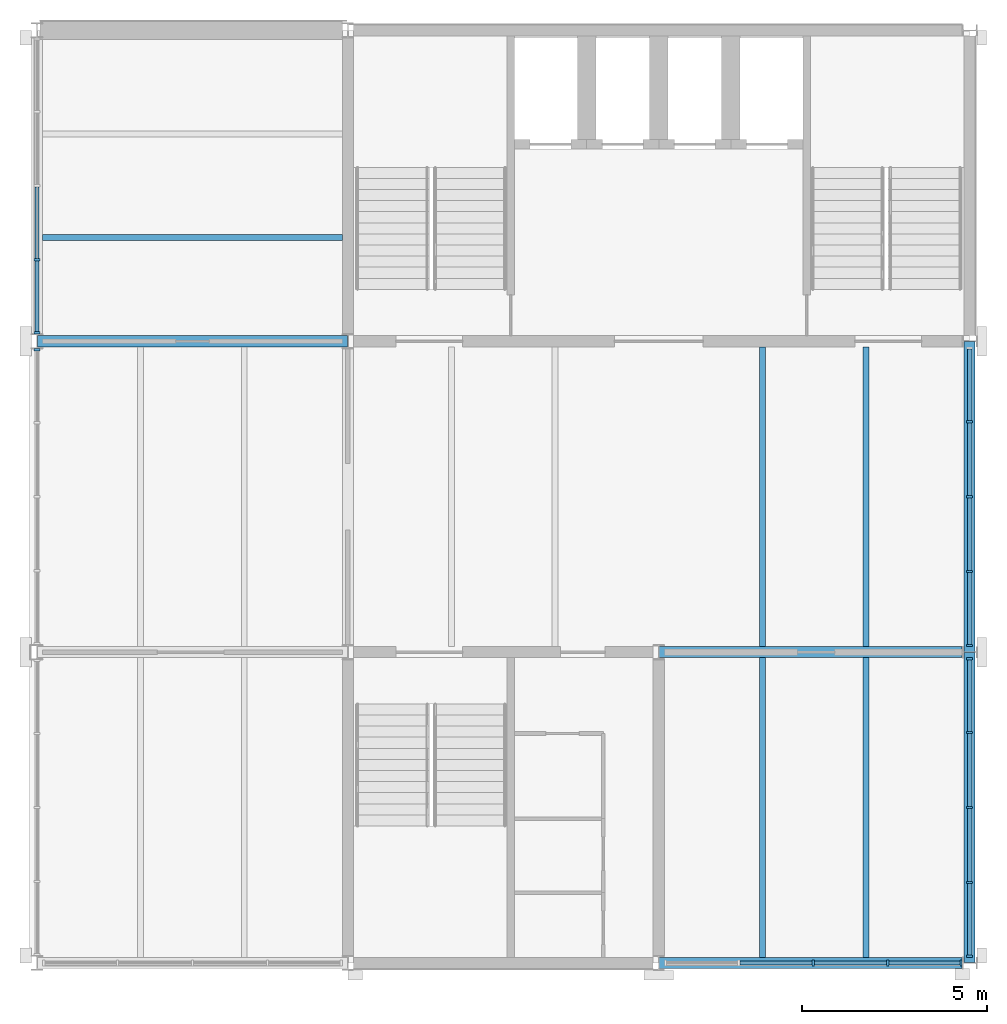
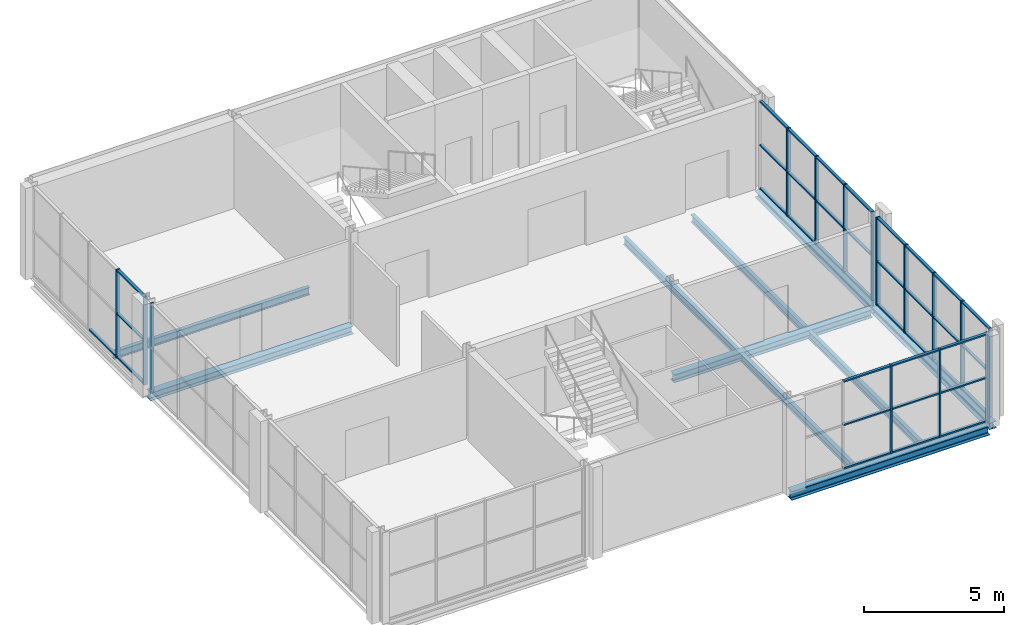
# One storey, part 3 of 8: 52 members, 10 beams, 5 elements without a shape of their own.
"""IFC4 building model written with IfcOpenShell, lengths in metres."""

from ifc_helpers import new_model, si_unit, direction, frame, origin, origin_2d, place, context, subcontext, project, spatial, rectangle, i_section, extrude, material, layer, layer_set, material_profile, profile_set, type_object, element, aggregate, save


model = new_model("IFC4")

# Units and contexts
model_context = context("Model", 3, precision=1e-05, world=origin(), true_north=direction((0.0, 1.0)))
body_context = subcontext(model_context, "Body", "Model", "MODEL_VIEW")
ifc_project = project(units=[si_unit("LENGTHUNIT", "METRE"), si_unit("AREAUNIT", "SQUARE_METRE"), si_unit("VOLUMEUNIT", "CUBIC_METRE"), si_unit("PLANEANGLEUNIT", "RADIAN"), si_unit("MASSUNIT", "GRAM", prefix="KILO")], contexts=[model_context])

# Site, building, storey
site_placement = place(None, origin())
site = spatial("IfcSite", under=ifc_project, at=site_placement, CompositionType="ELEMENT")
building_placement = place(site_placement, origin())
building = spatial("IfcBuilding", under=site, at=building_placement, Name="Galleria Vessillo Department Store", CompositionType="ELEMENT")
storey_placement = place(building_placement, frame((0.0, 0.0, 51.60009765625)))
storey = spatial("IfcBuildingStorey", under=building, at=storey_placement, Name="L11", CompositionType="ELEMENT", Elevation=51.60009765625)

# Curtain wall, member
ifc_material_1 = material(Name="Aluminium and glass curtain wall", Category="aluminium")
ifc_layer = layer(ifc_material_1, 0.159912109375)
ifc_layer_set = layer_set([ifc_layer], Name="Aluminium and glass curtain wall")
curtain_wall_type = type_object("IfcCurtainWallType", Name="Tower curtain wall CW4 2100 module", PredefinedType="NOTDEFINED", material=ifc_layer_set)
curtain_wall_1_placement = place(storey_placement, origin())
curtain_wall_1 = element("IfcCurtainWall", 1, at=curtain_wall_1_placement, inside=storey, type_object=curtain_wall_type, Name="Tower curtain wall CW4 2100 module TW-L11-02", PredefinedType="NOTDEFINED")
ifc_material_2 = material(Name="Aluminium alloy 6063 T6", Category="aluminium")
ifc_material_profile_1 = material_profile(ifc_material_2, rectangle(XDim=0.159912109375, YDim=0.06005859375, at=origin_2d()), Name="AL 60x160")
ifc_profile_set_1 = profile_set([ifc_material_profile_1], Name="Aluminium alloy 6063 T6")
member_type_1 = type_object("IfcMemberType", Name="Aluminium mullion 60 x 160", PredefinedType="MULLION", material=ifc_profile_set_1)
member_1_placement = place(storey_placement, frame((92.39990234375, 54.3701171875, 0.0), z_axis=(0.0, 0.0, 1.0), x_axis=(-1.0, 0.0, 0.0)))
member_1 = element("IfcMember", 2, at=member_1_placement, type_object=member_type_1, Name="CW4 mullion 5", PredefinedType="MULLION", context=body_context, shape_type="SweptSolid", body=[
    extrude(rectangle(XDim=0.159912109375, YDim=0.06005859375, at=origin_2d()), origin(), (0.0, 0.0, 1.0), 3.85009765625),
])
aggregate(curtain_wall_1, [member_1])

# Curtain wall, members
curtain_wall_2_placement = place(storey_placement, origin())
curtain_wall_2 = element("IfcCurtainWall", 3, at=curtain_wall_2_placement, inside=storey, type_object=curtain_wall_type, Name="Tower curtain wall CW4 2100 module TW-L11-03", PredefinedType="NOTDEFINED")
member_2_placement = place(storey_placement, frame((92.39990234375, 54.830078125, 0.0), z_axis=(0.0, 0.0, 1.0), x_axis=(-1.0, 0.0, 0.0)))
member_2 = element("IfcMember", 4, at=member_2_placement, type_object=member_type_1, Name="CW4 mullion 1", PredefinedType="MULLION", context=body_context, shape_type="SweptSolid", body=[
    extrude(rectangle(XDim=0.159912109375, YDim=0.06005859375, at=origin_2d()), origin(), (0.0, 0.0, 1.0), 3.85009765625),
])
member_3_placement = place(storey_placement, frame((92.39990234375, 56.800048828125, 0.0), z_axis=(0.0, 0.0, 1.0), x_axis=(-1.0, 0.0, 0.0)))
member_3 = element("IfcMember", 5, at=member_3_placement, type_object=member_type_1, Name="CW4 mullion 2", PredefinedType="MULLION", context=body_context, shape_type="SweptSolid", body=[
    extrude(rectangle(XDim=0.159912109375, YDim=0.06005859375, at=origin_2d()), origin(), (0.0, 0.0, 1.0), 3.85009765625),
])

curtain_wall_3_placement = place(storey_placement, origin())
curtain_wall_3 = element("IfcCurtainWall", 6, at=curtain_wall_3_placement, inside=storey, type_object=curtain_wall_type, Name="Tower curtain wall CW4 2100 module TS-L11-02", PredefinedType="NOTDEFINED")
member_4_placement = place(storey_placement, frame((113.375, 37.800048828125, 0.0), z_axis=(0.0, 0.0, 1.0), x_axis=(0.0, 1.0, 0.0)))
member_4 = element("IfcMember", 7, at=member_4_placement, type_object=member_type_1, Name="CW4 mullion 3", PredefinedType="MULLION", context=body_context, shape_type="SweptSolid", body=[
    extrude(rectangle(XDim=0.159912109375, YDim=0.06005859375, at=origin_2d()), origin(), (0.0, 0.0, 1.0), 3.85009765625),
])
member_5_placement = place(storey_placement, frame((115.387451171875, 37.800048828125, 0.0), z_axis=(0.0, 0.0, 1.0), x_axis=(0.0, 1.0, 0.0)))
member_5 = element("IfcMember", 8, at=member_5_placement, type_object=member_type_1, Name="CW4 mullion 4", PredefinedType="MULLION", context=body_context, shape_type="SweptSolid", body=[
    extrude(rectangle(XDim=0.159912109375, YDim=0.06005859375, at=origin_2d()), origin(), (0.0, 0.0, 1.0), 3.85009765625),
])
member_6_placement = place(storey_placement, frame((117.3701171875, 37.800048828125, 0.0), z_axis=(0.0, 0.0, 1.0), x_axis=(0.0, 1.0, 0.0)))
member_6 = element("IfcMember", 9, at=member_6_placement, type_object=member_type_1, Name="CW4 mullion 5", PredefinedType="MULLION", context=body_context, shape_type="SweptSolid", body=[
    extrude(rectangle(XDim=0.159912109375, YDim=0.06005859375, at=origin_2d()), origin(), (0.0, 0.0, 1.0), 3.85009765625),
])

curtain_wall_4_placement = place(storey_placement, origin())
curtain_wall_4 = element("IfcCurtainWall", 10, at=curtain_wall_4_placement, inside=storey, type_object=curtain_wall_type, Name="Tower curtain wall CW4 2100 module TE-L11-01", PredefinedType="NOTDEFINED")
member_7_placement = place(storey_placement, frame((117.60009765625, 37.97998046875, 0.0), z_axis=(0.0, 0.0, 1.0), x_axis=(-1.0, 0.0, 0.0)))
member_7 = element("IfcMember", 11, at=member_7_placement, type_object=member_type_1, Name="CW4 mullion 1", PredefinedType="MULLION", context=body_context, shape_type="SweptSolid", body=[
    extrude(rectangle(XDim=0.159912109375, YDim=0.06005859375, at=origin_2d()), origin(), (0.0, 0.0, 1.0), 3.85009765625),
])
member_8_placement = place(storey_placement, frame((117.60009765625, 39.97509765625, 0.0), z_axis=(0.0, 0.0, 1.0), x_axis=(-1.0, 0.0, 0.0)))
member_8 = element("IfcMember", 12, at=member_8_placement, type_object=member_type_1, Name="CW4 mullion 2", PredefinedType="MULLION", context=body_context, shape_type="SweptSolid", body=[
    extrude(rectangle(XDim=0.159912109375, YDim=0.06005859375, at=origin_2d()), origin(), (0.0, 0.0, 1.0), 3.85009765625),
])
member_9_placement = place(storey_placement, frame((117.60009765625, 42.0, 0.0), z_axis=(0.0, 0.0, 1.0), x_axis=(-1.0, 0.0, 0.0)))
member_9 = element("IfcMember", 13, at=member_9_placement, type_object=member_type_1, Name="CW4 mullion 3", PredefinedType="MULLION", context=body_context, shape_type="SweptSolid", body=[
    extrude(rectangle(XDim=0.159912109375, YDim=0.06005859375, at=origin_2d()), origin(), (0.0, 0.0, 1.0), 3.85009765625),
])
member_10_placement = place(storey_placement, frame((117.60009765625, 44.02490234375, 0.0), z_axis=(0.0, 0.0, 1.0), x_axis=(-1.0, 0.0, 0.0)))
member_10 = element("IfcMember", 14, at=member_10_placement, type_object=member_type_1, Name="CW4 mullion 4", PredefinedType="MULLION", context=body_context, shape_type="SweptSolid", body=[
    extrude(rectangle(XDim=0.159912109375, YDim=0.06005859375, at=origin_2d()), origin(), (0.0, 0.0, 1.0), 3.85009765625),
])
member_11_placement = place(storey_placement, frame((117.60009765625, 46.02001953125, 0.0), z_axis=(0.0, 0.0, 1.0), x_axis=(-1.0, 0.0, 0.0)))
member_11 = element("IfcMember", 15, at=member_11_placement, type_object=member_type_1, Name="CW4 mullion 5", PredefinedType="MULLION", context=body_context, shape_type="SweptSolid", body=[
    extrude(rectangle(XDim=0.159912109375, YDim=0.06005859375, at=origin_2d()), origin(), (0.0, 0.0, 1.0), 3.85009765625),
])

curtain_wall_5_placement = place(storey_placement, origin())
curtain_wall_5 = element("IfcCurtainWall", 16, at=curtain_wall_5_placement, inside=storey, type_object=curtain_wall_type, Name="Tower curtain wall CW4 2100 module TE-L11-02", PredefinedType="NOTDEFINED")
member_12_placement = place(storey_placement, frame((117.60009765625, 46.3798828125, 0.0), z_axis=(0.0, 0.0, 1.0), x_axis=(-1.0, 0.0, 0.0)))
member_12 = element("IfcMember", 17, at=member_12_placement, type_object=member_type_1, Name="CW4 mullion 1", PredefinedType="MULLION", context=body_context, shape_type="SweptSolid", body=[
    extrude(rectangle(XDim=0.159912109375, YDim=0.06005859375, at=origin_2d()), origin(), (0.0, 0.0, 1.0), 3.85009765625),
])
member_13_placement = place(storey_placement, frame((117.60009765625, 48.375, 0.0), z_axis=(0.0, 0.0, 1.0), x_axis=(-1.0, 0.0, 0.0)))
member_13 = element("IfcMember", 18, at=member_13_placement, type_object=member_type_1, Name="CW4 mullion 2", PredefinedType="MULLION", context=body_context, shape_type="SweptSolid", body=[
    extrude(rectangle(XDim=0.159912109375, YDim=0.06005859375, at=origin_2d()), origin(), (0.0, 0.0, 1.0), 3.85009765625),
])
member_14_placement = place(storey_placement, frame((117.60009765625, 50.39990234375, 0.0), z_axis=(0.0, 0.0, 1.0), x_axis=(-1.0, 0.0, 0.0)))
member_14 = element("IfcMember", 19, at=member_14_placement, type_object=member_type_1, Name="CW4 mullion 3", PredefinedType="MULLION", context=body_context, shape_type="SweptSolid", body=[
    extrude(rectangle(XDim=0.159912109375, YDim=0.06005859375, at=origin_2d()), origin(), (0.0, 0.0, 1.0), 3.85009765625),
])
member_15_placement = place(storey_placement, frame((117.60009765625, 52.425048828125, 0.0), z_axis=(0.0, 0.0, 1.0), x_axis=(-1.0, 0.0, 0.0)))
member_15 = element("IfcMember", 20, at=member_15_placement, type_object=member_type_1, Name="CW4 mullion 4", PredefinedType="MULLION", context=body_context, shape_type="SweptSolid", body=[
    extrude(rectangle(XDim=0.159912109375, YDim=0.06005859375, at=origin_2d()), origin(), (0.0, 0.0, 1.0), 3.85009765625),
])

# Member
ifc_material_3 = material(Name="Aluminium alloy 6063 T6", Category="aluminium")
ifc_material_profile_2 = material_profile(ifc_material_3, rectangle(XDim=0.1201171875, YDim=0.06005859375, at=origin_2d()), Name="AL 60x120")
ifc_profile_set_2 = profile_set([ifc_material_profile_2], Name="Aluminium alloy 6063 T6")
member_type_2 = type_object("IfcMemberType", Name="Aluminium transom 60 x 120", PredefinedType="USERDEFINED", material=ifc_profile_set_2)
member_16_placement = place(storey_placement, frame((92.39990234375, 54.860107421875, 0.030029296875), z_axis=(0.0, 1.0, 0.0), x_axis=(-1.0, 0.0, 0.0)))
member_16 = element("IfcMember", 21, at=member_16_placement, type_object=member_type_2, Name="CW4 transom 1.1", ObjectType="TRANSOM", PredefinedType="USERDEFINED", context=body_context, shape_type="SweptSolid", body=[
    extrude(rectangle(XDim=0.1201171875, YDim=0.06005859375, at=origin_2d()), origin(), (0.0, 0.0, 1.0), 1.909912109375),
])

member_17_placement = place(storey_placement, frame((92.39990234375, 54.860107421875, 1.925048828125), z_axis=(0.0, 1.0, 0.0), x_axis=(-1.0, 0.0, 0.0)))
member_17 = element("IfcMember", 22, at=member_17_placement, type_object=member_type_2, Name="CW4 transom 1.2", ObjectType="TRANSOM", PredefinedType="USERDEFINED", context=body_context, shape_type="SweptSolid", body=[
    extrude(rectangle(XDim=0.1201171875, YDim=0.06005859375, at=origin_2d()), origin(), (0.0, 0.0, 1.0), 1.909912109375),
])

member_18_placement = place(storey_placement, frame((92.39990234375, 54.860107421875, 3.820068359375), z_axis=(0.0, 1.0, 0.0), x_axis=(-1.0, 0.0, 0.0)))
member_18 = element("IfcMember", 23, at=member_18_placement, type_object=member_type_2, Name="CW4 transom 1.3", ObjectType="TRANSOM", PredefinedType="USERDEFINED", context=body_context, shape_type="SweptSolid", body=[
    extrude(rectangle(XDim=0.1201171875, YDim=0.06005859375, at=origin_2d()), origin(), (0.0, 0.0, 1.0), 1.909912109375),
])

member_19_placement = place(storey_placement, frame((92.39990234375, 56.830078125, 0.030029296875), z_axis=(0.0, 1.0, 0.0), x_axis=(-1.0, 0.0, 0.0)))
member_19 = element("IfcMember", 24, at=member_19_placement, type_object=member_type_2, Name="CW4 transom 2.1", ObjectType="TRANSOM", PredefinedType="USERDEFINED", context=body_context, shape_type="SweptSolid", body=[
    extrude(rectangle(XDim=0.1201171875, YDim=0.06005859375, at=origin_2d()), origin(), (0.0, 0.0, 1.0), 1.93994140625),
])

aggregate(curtain_wall_2, [member_2, member_3, member_16, member_17, member_18, member_19])

member_20_placement = place(storey_placement, frame((111.392333984375, 37.800048828125, 0.030029296875), z_axis=(1.0, 0.0, 0.0), x_axis=(0.0, 1.0, 0.0)))
member_20 = element("IfcMember", 25, at=member_20_placement, type_object=member_type_2, Name="CW4 transom 2.1", ObjectType="TRANSOM", PredefinedType="USERDEFINED", context=body_context, shape_type="SweptSolid", body=[
    extrude(rectangle(XDim=0.1201171875, YDim=0.06005859375, at=origin_2d()), origin(), (0.0, 0.0, 1.0), 1.95263671875),
])

member_21_placement = place(storey_placement, frame((111.392333984375, 37.800048828125, 1.925048828125), z_axis=(1.0, 0.0, 0.0), x_axis=(0.0, 1.0, 0.0)))
member_21 = element("IfcMember", 26, at=member_21_placement, type_object=member_type_2, Name="CW4 transom 2.2", ObjectType="TRANSOM", PredefinedType="USERDEFINED", context=body_context, shape_type="SweptSolid", body=[
    extrude(rectangle(XDim=0.1201171875, YDim=0.06005859375, at=origin_2d()), origin(), (0.0, 0.0, 1.0), 1.95263671875),
])

member_22_placement = place(storey_placement, frame((111.392333984375, 37.800048828125, 3.820068359375), z_axis=(1.0, 0.0, 0.0), x_axis=(0.0, 1.0, 0.0)))
member_22 = element("IfcMember", 27, at=member_22_placement, type_object=member_type_2, Name="CW4 transom 2.3", ObjectType="TRANSOM", PredefinedType="USERDEFINED", context=body_context, shape_type="SweptSolid", body=[
    extrude(rectangle(XDim=0.1201171875, YDim=0.06005859375, at=origin_2d()), origin(), (0.0, 0.0, 1.0), 1.95263671875),
])

member_23_placement = place(storey_placement, frame((113.405029296875, 37.800048828125, 0.030029296875), z_axis=(1.0, 0.0, 0.0), x_axis=(0.0, 1.0, 0.0)))
member_23 = element("IfcMember", 28, at=member_23_placement, type_object=member_type_2, Name="CW4 transom 3.1", ObjectType="TRANSOM", PredefinedType="USERDEFINED", context=body_context, shape_type="SweptSolid", body=[
    extrude(rectangle(XDim=0.1201171875, YDim=0.06005859375, at=origin_2d()), origin(), (0.0, 0.0, 1.0), 1.95263671875),
])

member_24_placement = place(storey_placement, frame((113.405029296875, 37.800048828125, 1.925048828125), z_axis=(1.0, 0.0, 0.0), x_axis=(0.0, 1.0, 0.0)))
member_24 = element("IfcMember", 29, at=member_24_placement, type_object=member_type_2, Name="CW4 transom 3.2", ObjectType="TRANSOM", PredefinedType="USERDEFINED", context=body_context, shape_type="SweptSolid", body=[
    extrude(rectangle(XDim=0.1201171875, YDim=0.06005859375, at=origin_2d()), origin(), (0.0, 0.0, 1.0), 1.95263671875),
])

member_25_placement = place(storey_placement, frame((113.405029296875, 37.800048828125, 3.820068359375), z_axis=(1.0, 0.0, 0.0), x_axis=(0.0, 1.0, 0.0)))
member_25 = element("IfcMember", 30, at=member_25_placement, type_object=member_type_2, Name="CW4 transom 3.3", ObjectType="TRANSOM", PredefinedType="USERDEFINED", context=body_context, shape_type="SweptSolid", body=[
    extrude(rectangle(XDim=0.1201171875, YDim=0.06005859375, at=origin_2d()), origin(), (0.0, 0.0, 1.0), 1.95263671875),
])

member_26_placement = place(storey_placement, frame((115.41748046875, 37.800048828125, 0.030029296875), z_axis=(1.0, 0.0, 0.0), x_axis=(0.0, 1.0, 0.0)))
member_26 = element("IfcMember", 31, at=member_26_placement, type_object=member_type_2, Name="CW4 transom 4.1", ObjectType="TRANSOM", PredefinedType="USERDEFINED", context=body_context, shape_type="SweptSolid", body=[
    extrude(rectangle(XDim=0.1201171875, YDim=0.06005859375, at=origin_2d()), origin(), (0.0, 0.0, 1.0), 1.922607421875),
])

member_27_placement = place(storey_placement, frame((115.41748046875, 37.800048828125, 1.925048828125), z_axis=(1.0, 0.0, 0.0), x_axis=(0.0, 1.0, 0.0)))
member_27 = element("IfcMember", 32, at=member_27_placement, type_object=member_type_2, Name="CW4 transom 4.2", ObjectType="TRANSOM", PredefinedType="USERDEFINED", context=body_context, shape_type="SweptSolid", body=[
    extrude(rectangle(XDim=0.1201171875, YDim=0.06005859375, at=origin_2d()), origin(), (0.0, 0.0, 1.0), 1.922607421875),
])

member_28_placement = place(storey_placement, frame((115.41748046875, 37.800048828125, 3.820068359375), z_axis=(1.0, 0.0, 0.0), x_axis=(0.0, 1.0, 0.0)))
member_28 = element("IfcMember", 33, at=member_28_placement, type_object=member_type_2, Name="CW4 transom 4.3", ObjectType="TRANSOM", PredefinedType="USERDEFINED", context=body_context, shape_type="SweptSolid", body=[
    extrude(rectangle(XDim=0.1201171875, YDim=0.06005859375, at=origin_2d()), origin(), (0.0, 0.0, 1.0), 1.922607421875),
])

aggregate(curtain_wall_3, [member_4, member_5, member_6, member_20, member_21, member_22, member_23, member_24, member_25, member_26, member_27, member_28])

member_29_placement = place(storey_placement, frame((117.60009765625, 38.010009765625, 0.030029296875), z_axis=(0.0, 1.0, 0.0), x_axis=(-1.0, 0.0, 0.0)))
member_29 = element("IfcMember", 34, at=member_29_placement, type_object=member_type_2, Name="CW4 transom 1.1", ObjectType="TRANSOM", PredefinedType="USERDEFINED", context=body_context, shape_type="SweptSolid", body=[
    extrude(rectangle(XDim=0.1201171875, YDim=0.06005859375, at=origin_2d()), origin(), (0.0, 0.0, 1.0), 1.93505859375),
])

member_30_placement = place(storey_placement, frame((117.60009765625, 38.010009765625, 1.925048828125), z_axis=(0.0, 1.0, 0.0), x_axis=(-1.0, 0.0, 0.0)))
member_30 = element("IfcMember", 35, at=member_30_placement, type_object=member_type_2, Name="CW4 transom 1.2", ObjectType="TRANSOM", PredefinedType="USERDEFINED", context=body_context, shape_type="SweptSolid", body=[
    extrude(rectangle(XDim=0.1201171875, YDim=0.06005859375, at=origin_2d()), origin(), (0.0, 0.0, 1.0), 1.93505859375),
])

member_31_placement = place(storey_placement, frame((117.60009765625, 38.010009765625, 3.820068359375), z_axis=(0.0, 1.0, 0.0), x_axis=(-1.0, 0.0, 0.0)))
member_31 = element("IfcMember", 36, at=member_31_placement, type_object=member_type_2, Name="CW4 transom 1.3", ObjectType="TRANSOM", PredefinedType="USERDEFINED", context=body_context, shape_type="SweptSolid", body=[
    extrude(rectangle(XDim=0.1201171875, YDim=0.06005859375, at=origin_2d()), origin(), (0.0, 0.0, 1.0), 1.93505859375),
])

member_32_placement = place(storey_placement, frame((117.60009765625, 40.0048828125, 0.030029296875), z_axis=(0.0, 1.0, 0.0), x_axis=(-1.0, 0.0, 0.0)))
member_32 = element("IfcMember", 37, at=member_32_placement, type_object=member_type_2, Name="CW4 transom 2.1", ObjectType="TRANSOM", PredefinedType="USERDEFINED", context=body_context, shape_type="SweptSolid", body=[
    extrude(rectangle(XDim=0.1201171875, YDim=0.06005859375, at=origin_2d()), origin(), (0.0, 0.0, 1.0), 1.965087890625),
])

member_33_placement = place(storey_placement, frame((117.60009765625, 40.0048828125, 1.925048828125), z_axis=(0.0, 1.0, 0.0), x_axis=(-1.0, 0.0, 0.0)))
member_33 = element("IfcMember", 38, at=member_33_placement, type_object=member_type_2, Name="CW4 transom 2.2", ObjectType="TRANSOM", PredefinedType="USERDEFINED", context=body_context, shape_type="SweptSolid", body=[
    extrude(rectangle(XDim=0.1201171875, YDim=0.06005859375, at=origin_2d()), origin(), (0.0, 0.0, 1.0), 1.965087890625),
])

member_34_placement = place(storey_placement, frame((117.60009765625, 40.0048828125, 3.820068359375), z_axis=(0.0, 1.0, 0.0), x_axis=(-1.0, 0.0, 0.0)))
member_34 = element("IfcMember", 39, at=member_34_placement, type_object=member_type_2, Name="CW4 transom 2.3", ObjectType="TRANSOM", PredefinedType="USERDEFINED", context=body_context, shape_type="SweptSolid", body=[
    extrude(rectangle(XDim=0.1201171875, YDim=0.06005859375, at=origin_2d()), origin(), (0.0, 0.0, 1.0), 1.965087890625),
])

member_35_placement = place(storey_placement, frame((117.60009765625, 42.030029296875, 0.030029296875), z_axis=(0.0, 1.0, 0.0), x_axis=(-1.0, 0.0, 0.0)))
member_35 = element("IfcMember", 40, at=member_35_placement, type_object=member_type_2, Name="CW4 transom 3.1", ObjectType="TRANSOM", PredefinedType="USERDEFINED", context=body_context, shape_type="SweptSolid", body=[
    extrude(rectangle(XDim=0.1201171875, YDim=0.06005859375, at=origin_2d()), origin(), (0.0, 0.0, 1.0), 1.965087890625),
])

member_36_placement = place(storey_placement, frame((117.60009765625, 42.030029296875, 1.925048828125), z_axis=(0.0, 1.0, 0.0), x_axis=(-1.0, 0.0, 0.0)))
member_36 = element("IfcMember", 41, at=member_36_placement, type_object=member_type_2, Name="CW4 transom 3.2", ObjectType="TRANSOM", PredefinedType="USERDEFINED", context=body_context, shape_type="SweptSolid", body=[
    extrude(rectangle(XDim=0.1201171875, YDim=0.06005859375, at=origin_2d()), origin(), (0.0, 0.0, 1.0), 1.965087890625),
])

member_37_placement = place(storey_placement, frame((117.60009765625, 42.030029296875, 3.820068359375), z_axis=(0.0, 1.0, 0.0), x_axis=(-1.0, 0.0, 0.0)))
member_37 = element("IfcMember", 42, at=member_37_placement, type_object=member_type_2, Name="CW4 transom 3.3", ObjectType="TRANSOM", PredefinedType="USERDEFINED", context=body_context, shape_type="SweptSolid", body=[
    extrude(rectangle(XDim=0.1201171875, YDim=0.06005859375, at=origin_2d()), origin(), (0.0, 0.0, 1.0), 1.965087890625),
])

member_38_placement = place(storey_placement, frame((117.60009765625, 44.054931640625, 0.030029296875), z_axis=(0.0, 1.0, 0.0), x_axis=(-1.0, 0.0, 0.0)))
member_38 = element("IfcMember", 43, at=member_38_placement, type_object=member_type_2, Name="CW4 transom 4.1", ObjectType="TRANSOM", PredefinedType="USERDEFINED", context=body_context, shape_type="SweptSolid", body=[
    extrude(rectangle(XDim=0.1201171875, YDim=0.06005859375, at=origin_2d()), origin(), (0.0, 0.0, 1.0), 1.93505859375),
])

member_39_placement = place(storey_placement, frame((117.60009765625, 44.054931640625, 1.925048828125), z_axis=(0.0, 1.0, 0.0), x_axis=(-1.0, 0.0, 0.0)))
member_39 = element("IfcMember", 44, at=member_39_placement, type_object=member_type_2, Name="CW4 transom 4.2", ObjectType="TRANSOM", PredefinedType="USERDEFINED", context=body_context, shape_type="SweptSolid", body=[
    extrude(rectangle(XDim=0.1201171875, YDim=0.06005859375, at=origin_2d()), origin(), (0.0, 0.0, 1.0), 1.93505859375),
])

member_40_placement = place(storey_placement, frame((117.60009765625, 44.054931640625, 3.820068359375), z_axis=(0.0, 1.0, 0.0), x_axis=(-1.0, 0.0, 0.0)))
member_40 = element("IfcMember", 45, at=member_40_placement, type_object=member_type_2, Name="CW4 transom 4.3", ObjectType="TRANSOM", PredefinedType="USERDEFINED", context=body_context, shape_type="SweptSolid", body=[
    extrude(rectangle(XDim=0.1201171875, YDim=0.06005859375, at=origin_2d()), origin(), (0.0, 0.0, 1.0), 1.93505859375),
])

aggregate(curtain_wall_4, [member_7, member_8, member_9, member_10, member_11, member_29, member_30, member_31, member_32, member_33, member_34, member_35, member_36, member_37, member_38, member_39, member_40])

member_41_placement = place(storey_placement, frame((117.60009765625, 46.409912109375, 0.030029296875), z_axis=(0.0, 1.0, 0.0), x_axis=(-1.0, 0.0, 0.0)))
member_41 = element("IfcMember", 46, at=member_41_placement, type_object=member_type_2, Name="CW4 transom 1.1", ObjectType="TRANSOM", PredefinedType="USERDEFINED", context=body_context, shape_type="SweptSolid", body=[
    extrude(rectangle(XDim=0.1201171875, YDim=0.06005859375, at=origin_2d()), origin(), (0.0, 0.0, 1.0), 1.93505859375),
])

member_42_placement = place(storey_placement, frame((117.60009765625, 46.409912109375, 1.925048828125), z_axis=(0.0, 1.0, 0.0), x_axis=(-1.0, 0.0, 0.0)))
member_42 = element("IfcMember", 47, at=member_42_placement, type_object=member_type_2, Name="CW4 transom 1.2", ObjectType="TRANSOM", PredefinedType="USERDEFINED", context=body_context, shape_type="SweptSolid", body=[
    extrude(rectangle(XDim=0.1201171875, YDim=0.06005859375, at=origin_2d()), origin(), (0.0, 0.0, 1.0), 1.93505859375),
])

member_43_placement = place(storey_placement, frame((117.60009765625, 46.409912109375, 3.820068359375), z_axis=(0.0, 1.0, 0.0), x_axis=(-1.0, 0.0, 0.0)))
member_43 = element("IfcMember", 48, at=member_43_placement, type_object=member_type_2, Name="CW4 transom 1.3", ObjectType="TRANSOM", PredefinedType="USERDEFINED", context=body_context, shape_type="SweptSolid", body=[
    extrude(rectangle(XDim=0.1201171875, YDim=0.06005859375, at=origin_2d()), origin(), (0.0, 0.0, 1.0), 1.93505859375),
])

member_44_placement = place(storey_placement, frame((117.60009765625, 48.405029296875, 0.030029296875), z_axis=(0.0, 1.0, 0.0), x_axis=(-1.0, 0.0, 0.0)))
member_44 = element("IfcMember", 49, at=member_44_placement, type_object=member_type_2, Name="CW4 transom 2.1", ObjectType="TRANSOM", PredefinedType="USERDEFINED", context=body_context, shape_type="SweptSolid", body=[
    extrude(rectangle(XDim=0.1201171875, YDim=0.06005859375, at=origin_2d()), origin(), (0.0, 0.0, 1.0), 1.965087890625),
])

member_45_placement = place(storey_placement, frame((117.60009765625, 48.405029296875, 1.925048828125), z_axis=(0.0, 1.0, 0.0), x_axis=(-1.0, 0.0, 0.0)))
member_45 = element("IfcMember", 50, at=member_45_placement, type_object=member_type_2, Name="CW4 transom 2.2", ObjectType="TRANSOM", PredefinedType="USERDEFINED", context=body_context, shape_type="SweptSolid", body=[
    extrude(rectangle(XDim=0.1201171875, YDim=0.06005859375, at=origin_2d()), origin(), (0.0, 0.0, 1.0), 1.965087890625),
])

member_46_placement = place(storey_placement, frame((117.60009765625, 48.405029296875, 3.820068359375), z_axis=(0.0, 1.0, 0.0), x_axis=(-1.0, 0.0, 0.0)))
member_46 = element("IfcMember", 51, at=member_46_placement, type_object=member_type_2, Name="CW4 transom 2.3", ObjectType="TRANSOM", PredefinedType="USERDEFINED", context=body_context, shape_type="SweptSolid", body=[
    extrude(rectangle(XDim=0.1201171875, YDim=0.06005859375, at=origin_2d()), origin(), (0.0, 0.0, 1.0), 1.965087890625),
])

member_47_placement = place(storey_placement, frame((117.60009765625, 50.429931640625, 0.030029296875), z_axis=(0.0, 1.0, 0.0), x_axis=(-1.0, 0.0, 0.0)))
member_47 = element("IfcMember", 52, at=member_47_placement, type_object=member_type_2, Name="CW4 transom 3.1", ObjectType="TRANSOM", PredefinedType="USERDEFINED", context=body_context, shape_type="SweptSolid", body=[
    extrude(rectangle(XDim=0.1201171875, YDim=0.06005859375, at=origin_2d()), origin(), (0.0, 0.0, 1.0), 1.965087890625),
])

member_48_placement = place(storey_placement, frame((117.60009765625, 50.429931640625, 1.925048828125), z_axis=(0.0, 1.0, 0.0), x_axis=(-1.0, 0.0, 0.0)))
member_48 = element("IfcMember", 53, at=member_48_placement, type_object=member_type_2, Name="CW4 transom 3.2", ObjectType="TRANSOM", PredefinedType="USERDEFINED", context=body_context, shape_type="SweptSolid", body=[
    extrude(rectangle(XDim=0.1201171875, YDim=0.06005859375, at=origin_2d()), origin(), (0.0, 0.0, 1.0), 1.965087890625),
])

member_49_placement = place(storey_placement, frame((117.60009765625, 50.429931640625, 3.820068359375), z_axis=(0.0, 1.0, 0.0), x_axis=(-1.0, 0.0, 0.0)))
member_49 = element("IfcMember", 54, at=member_49_placement, type_object=member_type_2, Name="CW4 transom 3.3", ObjectType="TRANSOM", PredefinedType="USERDEFINED", context=body_context, shape_type="SweptSolid", body=[
    extrude(rectangle(XDim=0.1201171875, YDim=0.06005859375, at=origin_2d()), origin(), (0.0, 0.0, 1.0), 1.965087890625),
])

member_50_placement = place(storey_placement, frame((117.60009765625, 52.455078125, 0.030029296875), z_axis=(0.0, 1.0, 0.0), x_axis=(-1.0, 0.0, 0.0)))
member_50 = element("IfcMember", 55, at=member_50_placement, type_object=member_type_2, Name="CW4 transom 4.1", ObjectType="TRANSOM", PredefinedType="USERDEFINED", context=body_context, shape_type="SweptSolid", body=[
    extrude(rectangle(XDim=0.1201171875, YDim=0.06005859375, at=origin_2d()), origin(), (0.0, 0.0, 1.0), 1.93505859375),
])

member_51_placement = place(storey_placement, frame((117.60009765625, 52.455078125, 1.925048828125), z_axis=(0.0, 1.0, 0.0), x_axis=(-1.0, 0.0, 0.0)))
member_51 = element("IfcMember", 56, at=member_51_placement, type_object=member_type_2, Name="CW4 transom 4.2", ObjectType="TRANSOM", PredefinedType="USERDEFINED", context=body_context, shape_type="SweptSolid", body=[
    extrude(rectangle(XDim=0.1201171875, YDim=0.06005859375, at=origin_2d()), origin(), (0.0, 0.0, 1.0), 1.93505859375),
])

member_52_placement = place(storey_placement, frame((117.60009765625, 52.455078125, 3.820068359375), z_axis=(0.0, 1.0, 0.0), x_axis=(-1.0, 0.0, 0.0)))
member_52 = element("IfcMember", 57, at=member_52_placement, type_object=member_type_2, Name="CW4 transom 4.3", ObjectType="TRANSOM", PredefinedType="USERDEFINED", context=body_context, shape_type="SweptSolid", body=[
    extrude(rectangle(XDim=0.1201171875, YDim=0.06005859375, at=origin_2d()), origin(), (0.0, 0.0, 1.0), 1.93505859375),
])

aggregate(curtain_wall_5, [member_12, member_13, member_14, member_15, member_41, member_42, member_43, member_44, member_45, member_46, member_47, member_48, member_49, member_50, member_51, member_52])

# Beams
ifc_material_4 = material(Name="Steel S355 J2", Category="steel")
ifc_material_profile_3 = material_profile(ifc_material_4, i_section(OverallWidth=0.300048828125, OverallDepth=0.35009765625, WebThickness=0.010009765625, FlangeThickness=0.017578125, FilletRadius=0.027099609375, at=origin_2d()), Name="HEA 360")
ifc_profile_set_3 = profile_set([ifc_material_profile_3], Name="Steel S355 J2")
beam_type_1 = type_object("IfcBeamType", Name="Floor girder HEA 360", PredefinedType="BEAM", material=ifc_profile_set_3)
beam_1_placement = place(storey_placement, frame((109.206787109375, 46.199951171875, -0.324951171875), z_axis=(1.0, 0.0, 0.0), x_axis=(0.0, 1.0, 0.0)))
element("IfcBeam", 58, at=beam_1_placement, inside=storey, type_object=beam_type_1, Name="S-BM-L11-GI-x46200-109207", PredefinedType="BEAM", context=body_context, shape_type="SweptSolid", body=[
    extrude(i_section(OverallWidth=0.300048828125, OverallDepth=0.35009765625, WebThickness=0.010009765625, FlangeThickness=0.017578125, FilletRadius=0.027099609375, at=origin_2d()), origin(), (0.0, 0.0, 1.0), 8.193115234375),
])
beam_2_placement = place(storey_placement, frame((92.406982421875, 54.60009765625, -0.324951171875), z_axis=(1.0, 0.0, 0.0), x_axis=(0.0, 1.0, 0.0)))
element("IfcBeam", 59, at=beam_2_placement, inside=storey, type_object=beam_type_1, Name="S-BM-L11-GI-x54600-92407", PredefinedType="BEAM", context=body_context, shape_type="SweptSolid", body=[
    extrude(i_section(OverallWidth=0.300048828125, OverallDepth=0.35009765625, WebThickness=0.010009765625, FlangeThickness=0.017578125, FilletRadius=0.027099609375, at=origin_2d()), origin(), (0.0, 0.0, 1.0), 8.38623046875),
])
ifc_material_5 = material(Name="Steel S355 J2", Category="steel")
ifc_material_profile_4 = material_profile(ifc_material_5, i_section(OverallWidth=0.159912109375, OverallDepth=0.330078125, WebThickness=0.007568359375, FlangeThickness=0.011474609375, FilletRadius=0.01806640625, at=origin_2d()), Name="IPE 330")
ifc_profile_set_4 = profile_set([ifc_material_profile_4], Name="Steel S355 J2")
beam_type_2 = type_object("IfcBeamType", Name="Floor joist IPE 330", PredefinedType="JOIST", material=ifc_profile_set_4)
beam_3_placement = place(storey_placement, frame((92.550048828125, 57.39990234375, -0.31494140625), z_axis=(1.0, 0.0, 0.0), x_axis=(0.0, 1.0, 0.0)))
element("IfcBeam", 60, at=beam_3_placement, inside=storey, type_object=beam_type_2, Name="S-BM-L11-JO-x57400-92550", PredefinedType="JOIST", context=body_context, shape_type="SweptSolid", body=[
    extrude(i_section(OverallWidth=0.159912109375, OverallDepth=0.330078125, WebThickness=0.007568359375, FlangeThickness=0.011474609375, FilletRadius=0.01806640625, at=origin_2d()), origin(), (0.0, 0.0, 1.0), 8.099853515625),
])
for number, where, z_axis, x_axis, name in (
    (61, (112.0, 37.9501953125, -0.31494140625), (0.0, 1.0, 0.0), (-1.0, 0.0, 0.0), "S-BM-L11-JO-y112000-37950"),
    (62, (114.800048828125, 37.9501953125, -0.31494140625), (0.0, 1.0, 0.0), (-1.0, 0.0, 0.0), "S-BM-L11-JO-y114800-37950"),
):
    element("IfcBeam", number, at=place(storey_placement, frame(where, z_axis=z_axis, x_axis=x_axis)), inside=storey, type_object=beam_type_2, Name=name, PredefinedType="JOIST", context=body_context, shape_type="SweptSolid", body=[
        extrude(i_section(OverallWidth=0.159912109375, OverallDepth=0.330078125, WebThickness=0.007568359375, FlangeThickness=0.011474609375, FilletRadius=0.01806640625, at=origin_2d()), origin(), (0.0, 0.0, 1.0), 8.099609375),
    ])
for number, where, z_axis, x_axis, name in (
    (63, (112.0, 46.35009765625, -0.31494140625), (0.0, 1.0, 0.0), (-1.0, 0.0, 0.0), "S-BM-L11-JO-y112000-46350"),
    (64, (114.800048828125, 46.35009765625, -0.31494140625), (0.0, 1.0, 0.0), (-1.0, 0.0, 0.0), "S-BM-L11-JO-y114800-46350"),
):
    element("IfcBeam", number, at=place(storey_placement, frame(where, z_axis=z_axis, x_axis=x_axis)), inside=storey, type_object=beam_type_2, Name=name, PredefinedType="JOIST", context=body_context, shape_type="SweptSolid", body=[
        extrude(i_section(OverallWidth=0.159912109375, OverallDepth=0.330078125, WebThickness=0.007568359375, FlangeThickness=0.011474609375, FilletRadius=0.01806640625, at=origin_2d()), origin(), (0.0, 0.0, 1.0), 8.099853515625),
    ])
ifc_material_6 = material(Name="Steel S355 J2", Category="steel")
ifc_material_profile_5 = material_profile(ifc_material_6, i_section(OverallWidth=0.300048828125, OverallDepth=0.2900390625, WebThickness=0.008544921875, FlangeThickness=0.013916015625, FilletRadius=0.027099609375, at=origin_2d()), Name="HEA 300")
ifc_profile_set_5 = profile_set([ifc_material_profile_5], Name="Steel S355 J2")
beam_type_3 = type_object("IfcBeamType", Name="Spandrel beam HEA 300", PredefinedType="SPANDREL", material=ifc_profile_set_5)
for number, where, z_axis, x_axis, name in (
    (65, (117.60009765625, 37.806884765625, -0.294921875), (0.0, 1.0, 0.0), (-1.0, 0.0, 0.0), "S-BM-L11-SP-y117600-37807"),
    (66, (117.60009765625, 46.206787109375, -0.294921875), (0.0, 1.0, 0.0), (-1.0, 0.0, 0.0), "S-BM-L11-SP-y117600-46207"),
):
    element("IfcBeam", number, at=place(storey_placement, frame(where, z_axis=z_axis, x_axis=x_axis)), inside=storey, type_object=beam_type_3, Name=name, PredefinedType="SPANDREL", context=body_context, shape_type="SweptSolid", body=[
        extrude(i_section(OverallWidth=0.300048828125, OverallDepth=0.2900390625, WebThickness=0.008544921875, FlangeThickness=0.013916015625, FilletRadius=0.027099609375, at=origin_2d()), origin(), (0.0, 0.0, 1.0), 8.38623046875),
    ])
ifc_material_7 = material(Name="Steel S355 J2", Category="steel")
ifc_material_profile_6 = material_profile(ifc_material_7, i_section(OverallWidth=0.300048828125, OverallDepth=0.389892578125, WebThickness=0.010986328125, FlangeThickness=0.01904296875, FilletRadius=0.027099609375, at=origin_2d()), Name="HEA 400")
ifc_profile_set_6 = profile_set([ifc_material_profile_6], Name="Steel S355 J2")
beam_type_4 = type_object("IfcBeamType", Name="Trimmer beam HEA 400", PredefinedType="BEAM", material=ifc_profile_set_6)
beam_4_placement = place(storey_placement, frame((109.206787109375, 37.800048828125, -0.344970703125), z_axis=(1.0, 0.0, 0.0), x_axis=(0.0, 1.0, 0.0)))
element("IfcBeam", 67, at=beam_4_placement, inside=storey, type_object=beam_type_4, Name="S-BM-L11-TR-x37800-109207", PredefinedType="BEAM", context=body_context, shape_type="SweptSolid", body=[
    extrude(i_section(OverallWidth=0.300048828125, OverallDepth=0.389892578125, WebThickness=0.010986328125, FlangeThickness=0.01904296875, FilletRadius=0.027099609375, at=origin_2d()), origin(), (0.0, 0.0, 1.0), 8.193115234375),
])

save(model, "model.ifc")
